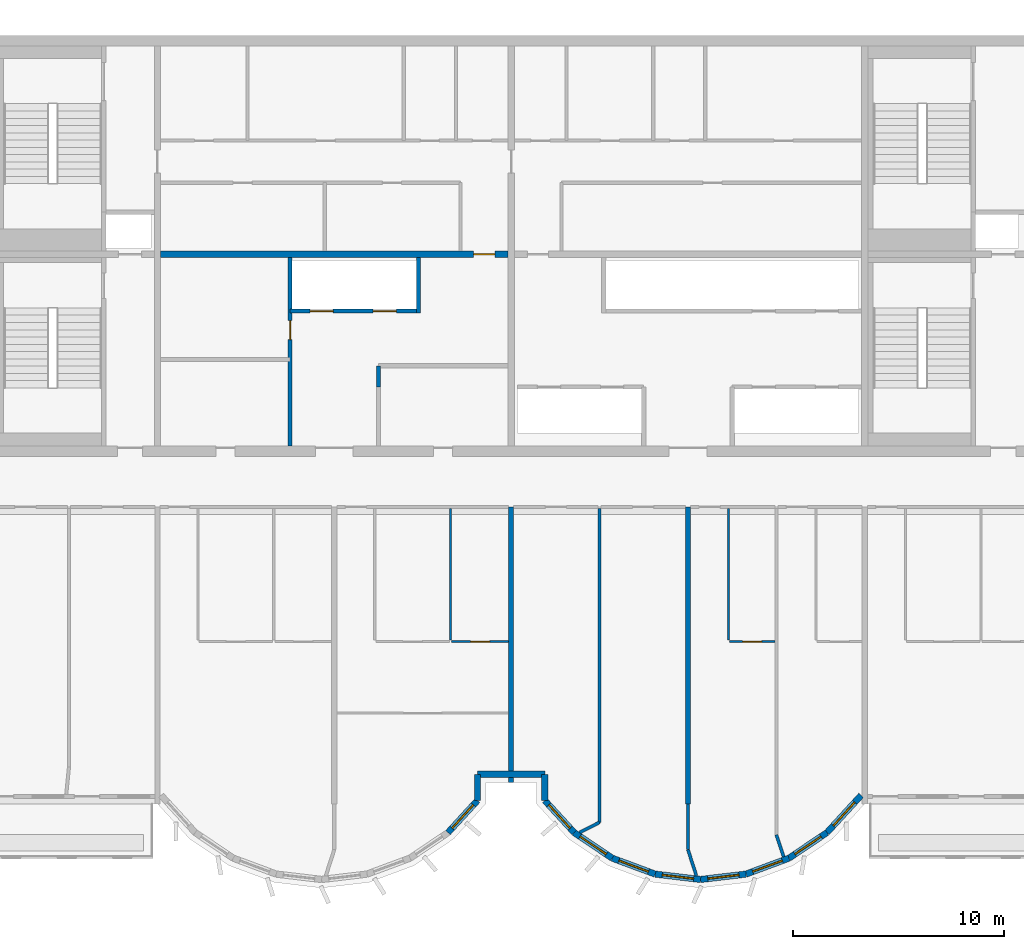
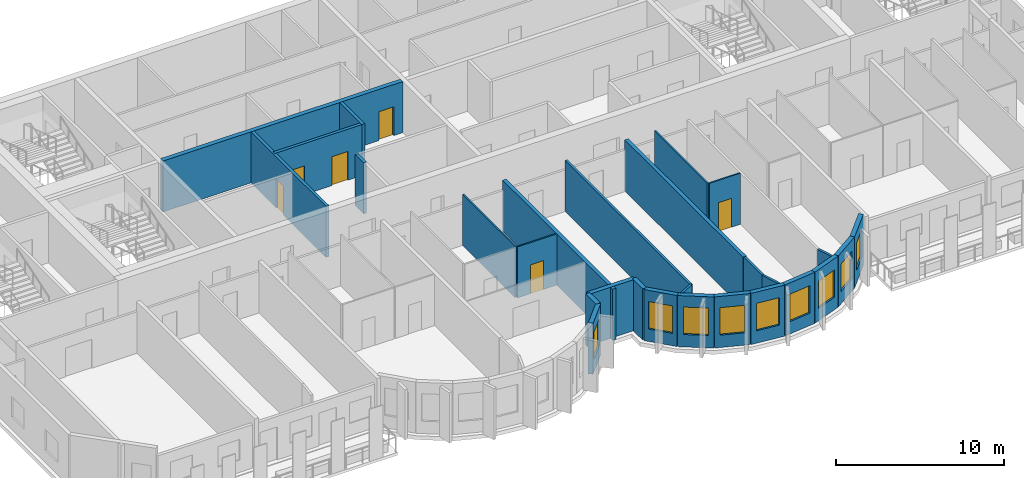
# One storey, part 4 of 12: 28 walls, 9 windows, 6 doors, 15 openings.
"""IFC4 building model written with IfcOpenShell, lengths in metres."""

from ifc_helpers import new_model, si_unit, direction, frame, frame_2d, origin, place, context, subcontext, project, spatial, rectangle, extrude, source, transform, mapped, material, layer, layer_set, type_object, element, fill, save


model = new_model("IFC4")

# Units and contexts
model_context = context("Model", 3, precision=1e-05, world=origin(), true_north=direction((0.0, 1.0)))
body_context = subcontext(model_context, "Body", "Model", "MODEL_VIEW")
ifc_project = project(units=[si_unit("LENGTHUNIT", "METRE"), si_unit("AREAUNIT", "SQUARE_METRE"), si_unit("VOLUMEUNIT", "CUBIC_METRE"), si_unit("PLANEANGLEUNIT", "RADIAN"), si_unit("MASSUNIT", "GRAM", prefix="KILO")], contexts=[model_context])

# Site, building, storey
site_placement = place(None, origin())
site = spatial("IfcSite", under=ifc_project, at=site_placement, CompositionType="ELEMENT")
building_placement = place(site_placement, origin())
building = spatial("IfcBuilding", under=site, at=building_placement, Name="Vanashikhar Sky Hotel", CompositionType="ELEMENT")
storey_placement = place(building_placement, frame((0.0, 0.0, 309.699951171875)))
storey = spatial("IfcBuildingStorey", under=building, at=storey_placement, Name="L74", CompositionType="ELEMENT", Elevation=309.699951171875)

# Wall, opening, door
ifc_material_1 = material(Name="Concrete M50", Category="concrete")
ifc_layer_1 = layer(ifc_material_1, 0.300048828125)
ifc_layer_set_1 = layer_set([ifc_layer_1], Name="RC core inner wall 300 Concrete M50")
wall_type_1 = type_object("IfcWallType", Name="RC core inner wall 300 Concrete M50", PredefinedType="SHEAR", material=ifc_layer_set_1)
shared_shape_1 = source(origin(), body_context, "Body", "SweptSolid", [
    extrude(rectangle(XDim=16.5, YDim=0.300048828125, at=frame_2d((8.25, 0.0))), origin(), (0.0, 0.0, 1.0), 3.719970703125),
])
wall_1_placement = place(storey_placement, frame((33.75, 31.60009765625, 0.0), z_axis=(0.0, 0.0, 1.0), x_axis=(1.0, 0.0, 0.0)))
wall_1 = element("IfcWall", 1, at=wall_1_placement, inside=storey, type_object=wall_type_1, Name="KW-L74-KY2", PredefinedType="SHEAR", context=body_context, shape_type="MappedRepresentation", body=[
    mapped(shared_shape_1, transform((0.0, 0.0, 0.0), scale=1.0)),
])
shared_shape_2 = source(origin(), body_context, "Body", "SweptSolid", [
    extrude(rectangle(XDim=1.0, YDim=2.10009765625, at=frame_2d((0.5, 1.050048828125))), frame((0.0, 0.16015625, 0.0), z_axis=(0.0, -1.0, 0.0), x_axis=(1.0, 0.0, 0.0)), (0.0, 0.0, 1.0), 0.320068359375),
])
opening_1_placement = place(wall_1_placement, frame((14.875, 0.0, 0.0)))
opening_1 = element("IfcOpeningElement", 2, at=opening_1_placement, cuts=wall_1, Name="Opening DC-4", PredefinedType="OPENING", context=body_context, shape_type="MappedRepresentation", body=[
    mapped(shared_shape_2, transform((0.0, 0.0, 0.0), scale=1.0)),
])
ifc_material_2 = material(Name="Steel", Category="steel")
door_type_1 = type_object("IfcDoorType", Name="Service door 1000 FD60", OperationType="NOTDEFINED", PredefinedType="DOOR", material=ifc_material_2)
shared_shape_3 = source(origin(), body_context, "Body", "SweptSolid", [
    extrude(rectangle(XDim=1.0, YDim=2.10009765625, at=frame_2d((0.5, 1.050048828125))), frame((0.0, 0.02490234375, 0.0), z_axis=(0.0, -1.0, 0.0), x_axis=(1.0, 0.0, 0.0)), (0.0, 0.0, 1.0), 0.050048828125),
])
door_1_placement = place(opening_1_placement, origin())
door_1 = element("IfcDoor", 3, at=door_1_placement, inside=storey, type_object=door_type_1, Name="Service door 1000 FD60", OperationType="SINGLE_SWING_LEFT", OverallHeight=2.10009765625, OverallWidth=1.0, PredefinedType="DOOR", context=body_context, shape_type="MappedRepresentation", body=[
    mapped(shared_shape_3, transform((0.0, 0.0, 0.0), scale=1.0)),
])
fill(opening_1, door_1)

# Walls
ifc_layer_2 = layer(ifc_material_1, 0.25)
ifc_layer_set_2 = layer_set([ifc_layer_2], Name="RC shear wall 250 Concrete M50")
wall_type_2 = type_object("IfcWallType", Name="RC shear wall 250 Concrete M50", PredefinedType="SHEAR", material=ifc_layer_set_2)
shared_shape_4 = source(origin(), body_context, "Body", "SweptSolid", [
    extrude(rectangle(XDim=14.10009765625, YDim=0.25, at=frame_2d((7.050048828125, 0.0))), origin(), (0.0, 0.0, 1.0), 3.719970703125),
])
wall_2_placement = place(storey_placement, frame((58.800048828125, 5.5, 0.0), z_axis=(0.0, 0.0, 1.0), x_axis=(0.0, 1.0, 0.0)))
element("IfcWall", 4, at=wall_2_placement, inside=storey, type_object=wall_type_2, Name="CW-L74-XW08-1", PredefinedType="SHEAR", context=body_context, shape_type="MappedRepresentation", body=[
    mapped(shared_shape_4, transform((0.0, 0.0, 0.0), scale=1.0)),
])
shared_shape_5 = source(origin(), body_context, "Body", "SweptSolid", [
    extrude(rectangle(XDim=13.10009765625, YDim=0.25, at=frame_2d((6.550048828125, 0.0))), origin(), (0.0, 0.0, 1.0), 3.719970703125),
])
wall_3_placement = place(storey_placement, frame((50.39990234375, 6.5, 0.0), z_axis=(0.0, 0.0, 1.0), x_axis=(0.0, 1.0, 0.0)))
element("IfcWall", 5, at=wall_3_placement, inside=storey, type_object=wall_type_2, Name="CW-L74-XW07-1", PredefinedType="SHEAR", context=body_context, shape_type="MappedRepresentation", body=[
    mapped(shared_shape_5, transform((0.0, 0.0, 0.0), scale=1.0)),
])

# Wall, opening, window
ifc_layer_3 = layer(ifc_material_1, 0.300048828125)
ifc_layer_set_3 = layer_set([ifc_layer_3], Name="Lobe wall 300")
wall_type_3 = type_object("IfcWallType", Name="Lobe wall 300", PredefinedType="SOLIDWALL", material=ifc_layer_set_3)
shared_shape_6 = source(origin(), body_context, "Body", "SweptSolid", [
    extrude(rectangle(XDim=2.398193359375, YDim=0.300048828125, at=frame_2d((1.19921875, 0.0))), origin(), (0.0, 0.0, 1.0), 3.719970703125),
])
wall_4_placement = place(storey_placement, frame((65.404296875, 4.13134765625, 0.0), z_axis=(0.0, 0.0, 1.0), x_axis=(0.675374189419, 0.737475222815, 0.0)))
wall_4 = element("IfcWall", 6, at=wall_4_placement, inside=storey, type_object=wall_type_3, Name="Lobe wall", PredefinedType="SOLIDWALL", context=body_context, shape_type="MappedRepresentation", body=[
    mapped(shared_shape_6, transform((0.0, 0.0, 0.0), scale=1.0)),
])
shared_shape_7 = source(origin(), body_context, "Body", "SweptSolid", [
    extrude(rectangle(XDim=1.5, YDim=2.0, at=frame_2d((0.75, 1.0))), frame((0.0, 0.16015625, 0.0), z_axis=(0.0, -1.0, 0.0), x_axis=(1.0, 0.0, 0.0)), (0.0, 0.0, 1.0), 0.320068359375),
])
opening_2_placement = place(wall_4_placement, frame((0.44921875, 0.0, 0.89990234375)))
opening_2 = element("IfcOpeningElement", 7, at=opening_2_placement, cuts=wall_4, Name="Opening WN-2", PredefinedType="OPENING", context=body_context, shape_type="MappedRepresentation", body=[
    mapped(shared_shape_7, transform((0.0, 0.0, 0.0), scale=1.0)),
])
ifc_material_3 = material(Name="Glass", Category="glass")
window_type = type_object("IfcWindowType", Name="Lobe window 1500 x 2000", PartitioningType="SINGLE_PANEL", PredefinedType="WINDOW", material=ifc_material_3)
shared_shape_8 = source(origin(), body_context, "Body", "SweptSolid", [
    extrude(rectangle(XDim=1.5, YDim=2.0, at=frame_2d((0.75, 1.0))), frame((0.0, 0.030029296875, 0.0), z_axis=(0.0, -1.0, 0.0), x_axis=(1.0, 0.0, 0.0)), (0.0, 0.0, 1.0), 0.06005859375),
])
window_1_placement = place(opening_2_placement, origin())
window_1 = element("IfcWindow", 8, at=window_1_placement, inside=storey, type_object=window_type, Name="Window WN-2", OverallHeight=2.0, OverallWidth=1.5, PartitioningType="SINGLE_PANEL", PredefinedType="WINDOW", context=body_context, shape_type="MappedRepresentation", body=[
    mapped(shared_shape_8, transform((0.0, 0.0, 0.0), scale=1.0)),
])
fill(opening_2, window_1)

shared_shape_9 = source(origin(), body_context, "Body", "SweptSolid", [
    extrude(rectangle(XDim=2.17578125, YDim=0.300048828125, at=frame_2d((1.087890625, 0.0))), origin(), (0.0, 0.0, 1.0), 3.719970703125),
])
wall_5_placement = place(storey_placement, frame((53.395751953125, 4.13134765625, 0.0), z_axis=(0.0, 0.0, 1.0), x_axis=(0.829590746428, -0.558371913192, 0.0)))
wall_5 = element("IfcWall", 9, at=wall_5_placement, inside=storey, type_object=wall_type_3, Name="Lobe wall", PredefinedType="SOLIDWALL", context=body_context, shape_type="MappedRepresentation", body=[
    mapped(shared_shape_9, transform((0.0, 0.0, 0.0), scale=1.0)),
])
opening_3_placement = place(wall_5_placement, frame((0.337890625, 0.0, 0.89990234375)))
opening_3 = element("IfcOpeningElement", 10, at=opening_3_placement, cuts=wall_5, Name="Opening WN-2", PredefinedType="OPENING", context=body_context, shape_type="MappedRepresentation", body=[
    mapped(shared_shape_7, transform((0.0, 0.0, 0.0), scale=1.0)),
])
window_2_placement = place(opening_3_placement, origin())
window_2 = element("IfcWindow", 11, at=window_2_placement, inside=storey, type_object=window_type, Name="Window WN-2", OverallHeight=2.0, OverallWidth=1.5, PartitioningType="SINGLE_PANEL", PredefinedType="WINDOW", context=body_context, shape_type="MappedRepresentation", body=[
    mapped(shared_shape_8, transform((0.0, 0.0, 0.0), scale=1.0)),
])
fill(opening_3, window_2)

wall_6_placement = place(storey_placement, frame((55.20068359375, 2.91650390625, 0.0), z_axis=(0.0, 0.0, 1.0), x_axis=(0.93754555999, -0.347862505801, 0.0)))
wall_6 = element("IfcWall", 12, at=wall_6_placement, inside=storey, type_object=wall_type_3, Name="Lobe wall", PredefinedType="SOLIDWALL", context=body_context, shape_type="MappedRepresentation", body=[
    mapped(shared_shape_9, transform((0.0, 0.0, 0.0), scale=1.0)),
])
opening_4_placement = place(wall_6_placement, frame((0.337890625, 0.0, 0.89990234375)))
opening_4 = element("IfcOpeningElement", 13, at=opening_4_placement, cuts=wall_6, Name="Opening WN-2", PredefinedType="OPENING", context=body_context, shape_type="MappedRepresentation", body=[
    mapped(shared_shape_7, transform((0.0, 0.0, 0.0), scale=1.0)),
])
window_3_placement = place(opening_4_placement, origin())
window_3 = element("IfcWindow", 14, at=window_3_placement, inside=storey, type_object=window_type, Name="Window WN-2", OverallHeight=2.0, OverallWidth=1.5, PartitioningType="SINGLE_PANEL", PredefinedType="WINDOW", context=body_context, shape_type="MappedRepresentation", body=[
    mapped(shared_shape_8, transform((0.0, 0.0, 0.0), scale=1.0)),
])
fill(opening_4, window_3)

wall_7_placement = place(storey_placement, frame((63.59912109375, 2.91650390625, 0.0), z_axis=(0.0, 0.0, 1.0), x_axis=(0.829625727223, 0.558319937607, 0.0)))
wall_7 = element("IfcWall", 15, at=wall_7_placement, inside=storey, type_object=wall_type_3, Name="Lobe wall", PredefinedType="SOLIDWALL", context=body_context, shape_type="MappedRepresentation", body=[
    mapped(shared_shape_9, transform((0.0, 0.0, 0.0), scale=1.0)),
])
opening_5_placement = place(wall_7_placement, frame((0.337890625, 0.0, 0.89990234375)))
opening_5 = element("IfcOpeningElement", 16, at=opening_5_placement, cuts=wall_7, Name="Opening WN-2", PredefinedType="OPENING", context=body_context, shape_type="MappedRepresentation", body=[
    mapped(shared_shape_7, transform((0.0, 0.0, 0.0), scale=1.0)),
])
window_4_placement = place(opening_5_placement, origin())
window_4 = element("IfcWindow", 17, at=window_4_placement, inside=storey, type_object=window_type, Name="Window WN-2", OverallHeight=2.0, OverallWidth=1.5, PartitioningType="SINGLE_PANEL", PredefinedType="WINDOW", context=body_context, shape_type="MappedRepresentation", body=[
    mapped(shared_shape_8, transform((0.0, 0.0, 0.0), scale=1.0)),
])
fill(opening_5, window_4)

shared_shape_10 = source(origin(), body_context, "Body", "SweptSolid", [
    extrude(rectangle(XDim=2.174560546875, YDim=0.300048828125, at=frame_2d((1.08740234375, 0.0))), origin(), (0.0, 0.0, 1.0), 3.719970703125),
])
wall_8_placement = place(storey_placement, frame((57.240478515625, 2.15966796875, 0.0), z_axis=(0.0, 0.0, 1.0), x_axis=(0.993001132889, -0.118104826659, 0.0)))
wall_8 = element("IfcWall", 18, at=wall_8_placement, inside=storey, type_object=wall_type_3, Name="Lobe wall", PredefinedType="SOLIDWALL", context=body_context, shape_type="MappedRepresentation", body=[
    mapped(shared_shape_10, transform((0.0, 0.0, 0.0), scale=1.0)),
])
opening_6_placement = place(wall_8_placement, frame((0.33740234375, 0.0, 0.89990234375)))
opening_6 = element("IfcOpeningElement", 19, at=opening_6_placement, cuts=wall_8, Name="Opening WN-2", PredefinedType="OPENING", context=body_context, shape_type="MappedRepresentation", body=[
    mapped(shared_shape_7, transform((0.0, 0.0, 0.0), scale=1.0)),
])
window_5_placement = place(opening_6_placement, origin())
window_5 = element("IfcWindow", 20, at=window_5_placement, inside=storey, type_object=window_type, Name="Window WN-2", OverallHeight=2.0, OverallWidth=1.5, PartitioningType="SINGLE_PANEL", PredefinedType="WINDOW", context=body_context, shape_type="MappedRepresentation", body=[
    mapped(shared_shape_8, transform((0.0, 0.0, 0.0), scale=1.0)),
])
fill(opening_6, window_5)

shared_shape_11 = source(origin(), body_context, "Body", "SweptSolid", [
    extrude(rectangle(XDim=2.1748046875, YDim=0.300048828125, at=frame_2d((1.08740234375, 0.0))), origin(), (0.0, 0.0, 1.0), 3.719970703125),
])
wall_9_placement = place(storey_placement, frame((59.39990234375, 1.90283203125, 0.0), z_axis=(0.0, 0.0, 1.0), x_axis=(0.993002698611, 0.118091661648, 0.0)))
wall_9 = element("IfcWall", 21, at=wall_9_placement, inside=storey, type_object=wall_type_3, Name="Lobe wall", PredefinedType="SOLIDWALL", context=body_context, shape_type="MappedRepresentation", body=[
    mapped(shared_shape_11, transform((0.0, 0.0, 0.0), scale=1.0)),
])
opening_7_placement = place(wall_9_placement, frame((0.33740234375, 0.0, 0.89990234375)))
opening_7 = element("IfcOpeningElement", 22, at=opening_7_placement, cuts=wall_9, Name="Opening WN-2", PredefinedType="OPENING", context=body_context, shape_type="MappedRepresentation", body=[
    mapped(shared_shape_7, transform((0.0, 0.0, 0.0), scale=1.0)),
])
window_6_placement = place(opening_7_placement, origin())
window_6 = element("IfcWindow", 23, at=window_6_placement, inside=storey, type_object=window_type, Name="Window WN-2", OverallHeight=2.0, OverallWidth=1.5, PartitioningType="SINGLE_PANEL", PredefinedType="WINDOW", context=body_context, shape_type="MappedRepresentation", body=[
    mapped(shared_shape_8, transform((0.0, 0.0, 0.0), scale=1.0)),
])
fill(opening_7, window_6)

shared_shape_12 = source(origin(), body_context, "Body", "SweptSolid", [
    extrude(rectangle(XDim=2.175537109375, YDim=0.300048828125, at=frame_2d((1.087890625, 0.0))), origin(), (0.0, 0.0, 1.0), 3.719970703125),
])
wall_10_placement = place(storey_placement, frame((61.5595703125, 2.15966796875, 0.0), z_axis=(0.0, 0.0, 1.0), x_axis=(0.937531979054, 0.347899106424, 0.0)))
wall_10 = element("IfcWall", 24, at=wall_10_placement, inside=storey, type_object=wall_type_3, Name="Lobe wall", PredefinedType="SOLIDWALL", context=body_context, shape_type="MappedRepresentation", body=[
    mapped(shared_shape_12, transform((0.0, 0.0, 0.0), scale=1.0)),
])
opening_8_placement = place(wall_10_placement, frame((0.337890625, 0.0, 0.89990234375)))
opening_8 = element("IfcOpeningElement", 25, at=opening_8_placement, cuts=wall_10, Name="Opening WN-2", PredefinedType="OPENING", context=body_context, shape_type="MappedRepresentation", body=[
    mapped(shared_shape_7, transform((0.0, 0.0, 0.0), scale=1.0)),
])
window_7_placement = place(opening_8_placement, origin())
window_7 = element("IfcWindow", 26, at=window_7_placement, inside=storey, type_object=window_type, Name="Window WN-2", OverallHeight=2.0, OverallWidth=1.5, PartitioningType="SINGLE_PANEL", PredefinedType="WINDOW", context=body_context, shape_type="MappedRepresentation", body=[
    mapped(shared_shape_8, transform((0.0, 0.0, 0.0), scale=1.0)),
])
fill(opening_8, window_7)

shared_shape_13 = source(origin(), body_context, "Body", "SweptSolid", [
    extrude(rectangle(XDim=2.066650390625, YDim=0.300048828125, at=frame_2d((1.033203125, 0.0))), origin(), (0.0, 0.0, 1.0), 3.719970703125),
])
wall_11_placement = place(storey_placement, frame((47.404296875, 4.13134765625, 0.0), z_axis=(0.0, 0.0, 1.0), x_axis=(0.675355439877, 0.737492393065, 0.0)))
wall_11 = element("IfcWall", 27, at=wall_11_placement, inside=storey, type_object=wall_type_3, Name="Lobe wall", PredefinedType="SOLIDWALL", context=body_context, shape_type="MappedRepresentation", body=[
    mapped(shared_shape_13, transform((0.0, 0.0, 0.0), scale=1.0)),
])
opening_9_placement = place(wall_11_placement, frame((0.283447265625, 0.0, 0.89990234375)))
opening_9 = element("IfcOpeningElement", 28, at=opening_9_placement, cuts=wall_11, Name="Opening WN-2", PredefinedType="OPENING", context=body_context, shape_type="MappedRepresentation", body=[
    mapped(shared_shape_7, transform((0.0, 0.0, 0.0), scale=1.0)),
])
window_8_placement = place(opening_9_placement, origin())
window_8 = element("IfcWindow", 29, at=window_8_placement, inside=storey, type_object=window_type, Name="Window WN-2", OverallHeight=2.0, OverallWidth=1.5, PartitioningType="SINGLE_PANEL", PredefinedType="WINDOW", context=body_context, shape_type="MappedRepresentation", body=[
    mapped(shared_shape_8, transform((0.0, 0.0, 0.0), scale=1.0)),
])
fill(opening_9, window_8)

wall_12_placement = place(storey_placement, frame((52.0, 5.655517578125, 0.0), z_axis=(0.0, 0.0, 1.0), x_axis=(0.675355439877, -0.737492393065, 0.0)))
wall_12 = element("IfcWall", 30, at=wall_12_placement, inside=storey, type_object=wall_type_3, Name="Lobe wall", PredefinedType="SOLIDWALL", context=body_context, shape_type="MappedRepresentation", body=[
    mapped(shared_shape_13, transform((0.0, 0.0, 0.0), scale=1.0)),
])
opening_10_placement = place(wall_12_placement, frame((0.283447265625, 0.0, 0.89990234375)))
opening_10 = element("IfcOpeningElement", 31, at=opening_10_placement, cuts=wall_12, Name="Opening WN-2", PredefinedType="OPENING", context=body_context, shape_type="MappedRepresentation", body=[
    mapped(shared_shape_7, transform((0.0, 0.0, 0.0), scale=1.0)),
])
window_9_placement = place(opening_10_placement, origin())
window_9 = element("IfcWindow", 32, at=window_9_placement, inside=storey, type_object=window_type, Name="Window WN-2", OverallHeight=2.0, OverallWidth=1.5, PartitioningType="SINGLE_PANEL", PredefinedType="WINDOW", context=body_context, shape_type="MappedRepresentation", body=[
    mapped(shared_shape_8, transform((0.0, 0.0, 0.0), scale=1.0)),
])
fill(opening_10, window_9)

# Walls
shared_shape_14 = source(origin(), body_context, "Body", "SweptSolid", [
    extrude(rectangle(XDim=1.244384765625, YDim=0.300048828125, at=frame_2d((0.6220703125, 0.0))), origin(), (0.0, 0.0, 1.0), 3.719970703125),
])
for number, where, z_axis, x_axis, name in (
    (33, (48.800048828125, 5.655517578125, 0.0), (0.0, 0.0, 1.0), (0.0, 1.0, 0.0), "Groove wall"),
    (34, (52.0, 6.89990234375, 0.0), (0.0, 0.0, 1.0), (0.0, -1.0, 0.0), "Groove wall"),
):
    element("IfcWall", number, at=place(storey_placement, frame(where, z_axis=z_axis, x_axis=x_axis)), inside=storey, type_object=wall_type_3, Name=name, PredefinedType="SOLIDWALL", context=body_context, shape_type="MappedRepresentation", body=[
        mapped(shared_shape_14, transform((0.0, 0.0, 0.0), scale=1.0)),
    ])
shared_shape_15 = source(origin(), body_context, "Body", "SweptSolid", [
    extrude(rectangle(XDim=3.199951171875, YDim=0.300048828125, at=frame_2d((1.60009765625, 0.0))), origin(), (0.0, 0.0, 1.0), 3.719970703125),
])
wall_13_placement = place(storey_placement, frame((48.800048828125, 6.89990234375, 0.0), z_axis=(0.0, 0.0, 1.0), x_axis=(1.0, 0.0, 0.0)))
element("IfcWall", 35, at=wall_13_placement, inside=storey, type_object=wall_type_3, Name="Groove wall", PredefinedType="SOLIDWALL", context=body_context, shape_type="MappedRepresentation", body=[
    mapped(shared_shape_15, transform((0.0, 0.0, 0.0), scale=1.0)),
])

# Wall, openings, doors
ifc_material_4 = material(Name="Concrete M40", Category="concrete")
ifc_layer_4 = layer(ifc_material_4, 0.199951171875)
ifc_layer_set_4 = layer_set([ifc_layer_4], Name="Shaft wall 200")
wall_type_4 = type_object("IfcWallType", Name="Shaft wall 200", PredefinedType="SOLIDWALL", material=ifc_layer_set_4)
shared_shape_16 = source(origin(), body_context, "Body", "SweptSolid", [
    extrude(rectangle(XDim=6.0, YDim=0.199951171875, at=frame_2d((3.0, 0.0))), origin(), (0.0, 0.0, 1.0), 3.719970703125),
])
wall_14_placement = place(storey_placement, frame((39.89990234375, 28.89990234375, 0.0), z_axis=(0.0, 0.0, 1.0), x_axis=(1.0, 0.0, 0.0)))
wall_14 = element("IfcWall", 36, at=wall_14_placement, inside=storey, type_object=wall_type_4, Name="Shaft wall 200", PredefinedType="SOLIDWALL", context=body_context, shape_type="MappedRepresentation", body=[
    mapped(shared_shape_16, transform((0.0, 0.0, 0.0), scale=1.0)),
])
shared_shape_17 = source(origin(), body_context, "Body", "SweptSolid", [
    extrude(rectangle(XDim=1.10009765625, YDim=2.10009765625, at=frame_2d((0.550048828125, 1.050048828125))), frame((0.0, 0.10986328125, 0.0), z_axis=(0.0, -1.0, 0.0), x_axis=(1.0, 0.0, 0.0)), (0.0, 0.0, 1.0), 0.219970703125),
])
opening_11_placement = place(wall_14_placement, frame((0.949951171875, 0.0, 0.0)))
opening_11 = element("IfcOpeningElement", 37, at=opening_11_placement, cuts=wall_14, Name="Opening LD", PredefinedType="OPENING", context=body_context, shape_type="MappedRepresentation", body=[
    mapped(shared_shape_17, transform((0.0, 0.0, 0.0), scale=1.0)),
])
opening_12_placement = place(wall_14_placement, frame((3.949951171875, 0.0, 0.0)))
opening_12 = element("IfcOpeningElement", 38, at=opening_12_placement, cuts=wall_14, Name="Opening LD", PredefinedType="OPENING", context=body_context, shape_type="MappedRepresentation", body=[
    mapped(shared_shape_17, transform((0.0, 0.0, 0.0), scale=1.0)),
])
ifc_material_5 = material(Name="Stainless steel", Category="steel")
door_type_2 = type_object("IfcDoorType", Name="Lift landing door 1100", OperationType="NOTDEFINED", PredefinedType="DOOR", material=ifc_material_5)
shared_shape_18 = source(origin(), body_context, "Body", "SweptSolid", [
    extrude(rectangle(XDim=1.10009765625, YDim=2.10009765625, at=frame_2d((0.550048828125, 1.050048828125))), frame((0.0, 0.02490234375, 0.0), z_axis=(0.0, -1.0, 0.0), x_axis=(1.0, 0.0, 0.0)), (0.0, 0.0, 1.0), 0.050048828125),
])
door_2_placement = place(opening_11_placement, origin())
door_2 = element("IfcDoor", 39, at=door_2_placement, inside=storey, type_object=door_type_2, Name="Lift landing door 1100", OperationType="SLIDING_TO_LEFT", OverallHeight=2.10009765625, OverallWidth=1.10009765625, PredefinedType="DOOR", context=body_context, shape_type="MappedRepresentation", body=[
    mapped(shared_shape_18, transform((0.0, 0.0, 0.0), scale=1.0)),
])
fill(opening_11, door_2)
door_3_placement = place(opening_12_placement, origin())
door_3 = element("IfcDoor", 40, at=door_3_placement, inside=storey, type_object=door_type_2, Name="Lift landing door 1100", OperationType="SLIDING_TO_RIGHT", OverallHeight=2.10009765625, OverallWidth=1.10009765625, PredefinedType="DOOR", context=body_context, shape_type="MappedRepresentation", body=[
    mapped(shared_shape_18, transform((0.0, 0.0, 0.0), scale=1.0)),
])
fill(opening_12, door_3)

# Wall, opening, door
ifc_material_6 = material(Name="Gypsum board partition")
ifc_layer_5 = layer(ifc_material_6, 0.14990234375)
ifc_layer_set_5 = layer_set([ifc_layer_5], Name="Service partition 150")
wall_type_5 = type_object("IfcWallType", Name="Service partition 150", PredefinedType="PARTITIONING", material=ifc_layer_set_5)
shared_shape_19 = source(origin(), body_context, "Body", "SweptSolid", [
    extrude(rectangle(XDim=8.949951171875, YDim=0.199951171875, at=frame_2d((4.47509765625, 0.0))), origin(), (0.0, 0.0, 1.0), 3.719970703125),
])
wall_15_placement = place(storey_placement, frame((39.89990234375, 22.5, 0.0), z_axis=(0.0, 0.0, 1.0), x_axis=(0.0, 1.0, 0.0)))
wall_15 = element("IfcWall", 41, at=wall_15_placement, inside=storey, type_object=wall_type_5, Name="Service partition 150", PredefinedType="PARTITIONING", context=body_context, shape_type="MappedRepresentation", body=[
    mapped(shared_shape_19, transform((0.0, 0.0, 0.0), scale=1.0)),
])
shared_shape_20 = source(origin(), body_context, "Body", "SweptSolid", [
    extrude(rectangle(XDim=0.89990234375, YDim=2.10009765625, at=frame_2d((0.449951171875, 1.050048828125))), frame((0.0, 0.10986328125, 0.0), z_axis=(0.0, -1.0, 0.0), x_axis=(1.0, 0.0, 0.0)), (0.0, 0.0, 1.0), 0.219970703125),
])
opening_13_placement = place(wall_15_placement, frame((5.050048828125, 0.0, 0.0)))
opening_13 = element("IfcOpeningElement", 42, at=opening_13_placement, cuts=wall_15, Name="Opening DC-4-A", PredefinedType="OPENING", context=body_context, shape_type="MappedRepresentation", body=[
    mapped(shared_shape_20, transform((0.0, 0.0, 0.0), scale=1.0)),
])
door_type_3 = type_object("IfcDoorType", Name="Service door 900 FD60", OperationType="NOTDEFINED", PredefinedType="DOOR", material=ifc_material_2)
shared_shape_21 = source(origin(), body_context, "Body", "SweptSolid", [
    extrude(rectangle(XDim=0.89990234375, YDim=2.10009765625, at=frame_2d((0.449951171875, 1.050048828125))), frame((0.0, 0.02490234375, 0.0), z_axis=(0.0, -1.0, 0.0), x_axis=(1.0, 0.0, 0.0)), (0.0, 0.0, 1.0), 0.050048828125),
])
door_4_placement = place(opening_13_placement, origin())
door_4 = element("IfcDoor", 43, at=door_4_placement, inside=storey, type_object=door_type_3, Name="Service door 900 FD60", OperationType="SINGLE_SWING_LEFT", OverallHeight=2.10009765625, OverallWidth=0.89990234375, PredefinedType="DOOR", context=body_context, shape_type="MappedRepresentation", body=[
    mapped(shared_shape_21, transform((0.0, 0.0, 0.0), scale=1.0)),
])
fill(opening_13, door_4)

# Walls
shared_shape_22 = source(origin(), body_context, "Body", "SweptSolid", [
    extrude(rectangle(XDim=2.64990234375, YDim=0.199951171875, at=frame_2d((1.324951171875, 0.0))), origin(), (0.0, 0.0, 1.0), 3.719970703125),
])
wall_16_placement = place(storey_placement, frame((46.0, 28.800048828125, 0.0), z_axis=(0.0, 0.0, 1.0), x_axis=(0.0, 1.0, 0.0)))
element("IfcWall", 44, at=wall_16_placement, inside=storey, type_object=wall_type_4, Name="Shaft wall 200", PredefinedType="SOLIDWALL", context=body_context, shape_type="MappedRepresentation", body=[
    mapped(shared_shape_22, transform((0.0, 0.0, 0.0), scale=1.0)),
])
shared_shape_23 = source(origin(), body_context, "Body", "SweptSolid", [
    extrude(rectangle(XDim=1.0, YDim=0.199951171875, at=frame_2d((0.5, 0.0))), origin(), (0.0, 0.0, 1.0), 3.719970703125),
])
wall_17_placement = place(storey_placement, frame((44.10009765625, 25.300048828125, 0.0), z_axis=(0.0, 0.0, 1.0), x_axis=(0.0, 1.0, 0.0)))
element("IfcWall", 45, at=wall_17_placement, inside=storey, type_object=wall_type_5, Name="Service partition 150", PredefinedType="PARTITIONING", context=body_context, shape_type="MappedRepresentation", body=[
    mapped(shared_shape_23, transform((0.0, 0.0, 0.0), scale=1.0)),
])
ifc_material_7 = material(Name="Gypsum plasterboard partition")
ifc_layer_6 = layer(ifc_material_7, 0.10009765625)
ifc_layer_set_6 = layer_set([ifc_layer_6], Name="Wet room partition 100")
wall_type_6 = type_object("IfcWallType", Name="Wet room partition 100", PredefinedType="PARTITIONING", material=ifc_layer_set_6)
shared_shape_24 = source(origin(), body_context, "Body", "SweptSolid", [
    extrude(rectangle(XDim=6.25, YDim=0.10009765625, at=frame_2d((3.125, 0.0))), origin(), (0.0, 0.0, 1.0), 3.719970703125),
])
for number, where, z_axis, x_axis, name in (
    (46, (47.52490234375, 13.27490234375, 0.0), (0.0, 0.0, 1.0), (0.0, 1.0, 0.0), "W-L74-PW011"),
    (47, (60.72509765625, 13.27490234375, 0.0), (0.0, 0.0, 1.0), (0.0, 1.0, 0.0), "W-L74-PW019"),
):
    element("IfcWall", number, at=place(storey_placement, frame(where, z_axis=z_axis, x_axis=x_axis)), inside=storey, type_object=wall_type_6, Name=name, PredefinedType="PARTITIONING", context=body_context, shape_type="MappedRepresentation", body=[
        mapped(shared_shape_24, transform((0.0, 0.0, 0.0), scale=1.0)),
    ])

# Wall, opening, door
shared_shape_25 = source(origin(), body_context, "Body", "SweptSolid", [
    extrude(rectangle(XDim=2.699951171875, YDim=0.10009765625, at=frame_2d((1.35009765625, 0.0))), origin(), (0.0, 0.0, 1.0), 3.719970703125),
])
wall_18_placement = place(storey_placement, frame((47.574951171875, 13.199951171875, 0.0), z_axis=(0.0, 0.0, 1.0), x_axis=(1.0, 0.0, 0.0)))
wall_18 = element("IfcWall", 48, at=wall_18_placement, inside=storey, type_object=wall_type_6, Name="W-L74-PW013", PredefinedType="PARTITIONING", context=body_context, shape_type="MappedRepresentation", body=[
    mapped(shared_shape_25, transform((0.0, 0.0, 0.0), scale=1.0)),
])
shared_shape_26 = source(origin(), body_context, "Body", "SweptSolid", [
    extrude(rectangle(XDim=0.89990234375, YDim=2.10009765625, at=frame_2d((0.449951171875, 1.050048828125))), frame((0.0, 0.06005859375, 0.0), z_axis=(0.0, -1.0, 0.0), x_axis=(1.0, 0.0, 0.0)), (0.0, 0.0, 1.0), 0.1201171875),
])
opening_14_placement = place(wall_18_placement, frame((0.89990234375, 0.0, 0.0)))
opening_14 = element("IfcOpeningElement", 49, at=opening_14_placement, cuts=wall_18, Name="Opening D-02", PredefinedType="OPENING", context=body_context, shape_type="MappedRepresentation", body=[
    mapped(shared_shape_26, transform((0.0, 0.0, 0.0), scale=1.0)),
])
ifc_material_8 = material(Name="Timber door", Category="wood")
door_type_4 = type_object("IfcDoorType", Name="Internal door 900", OperationType="NOTDEFINED", PredefinedType="DOOR", material=ifc_material_8)
door_5_placement = place(opening_14_placement, origin())
door_5 = element("IfcDoor", 50, at=door_5_placement, inside=storey, type_object=door_type_4, Name="D-L74-008", OperationType="SINGLE_SWING_LEFT", OverallHeight=2.10009765625, OverallWidth=0.89990234375, PredefinedType="DOOR", context=body_context, shape_type="MappedRepresentation", body=[
    mapped(shared_shape_21, transform((0.0, 0.0, 0.0), scale=1.0)),
])
fill(opening_14, door_5)

# Walls
ifc_layer_7 = layer(ifc_material_7, 0.14990234375)
ifc_layer_set_7 = layer_set([ifc_layer_7], Name="Corridor and demising partition 150")
wall_type_7 = type_object("IfcWallType", Name="Corridor and demising partition 150", PredefinedType="PARTITIONING", material=ifc_layer_set_7)
shared_shape_27 = source(origin(), body_context, "Body", "SweptSolid", [
    extrude(rectangle(XDim=2.177978515625, YDim=0.14990234375, at=frame_2d((1.0888671875, 0.0))), origin(), (0.0, 0.0, 1.0), 3.719970703125),
])
wall_19_placement = place(storey_placement, frame((58.800048828125, 3.322021484375, 0.0), z_axis=(0.0, 0.0, 1.0), x_axis=(0.0, 1.0, 0.0)))
element("IfcWall", 51, at=wall_19_placement, inside=storey, type_object=wall_type_7, Name="W-L74-PW039", PredefinedType="PARTITIONING", context=body_context, shape_type="MappedRepresentation", body=[
    mapped(shared_shape_27, transform((0.0, 0.0, 0.0), scale=1.0)),
])
shared_shape_28 = source(origin(), body_context, "Body", "SweptSolid", [
    extrude(rectangle(XDim=1.308349609375, YDim=0.14990234375, at=frame_2d((0.654296875, 0.0))), origin(), (0.0, 0.0, 1.0), 3.719970703125),
])
wall_20_placement = place(storey_placement, frame((59.201904296875, 2.076904296875, 0.0), z_axis=(0.0, 0.0, 1.0), x_axis=(-0.307144529633, 0.951662880392, 0.0)))
element("IfcWall", 52, at=wall_20_placement, inside=storey, type_object=wall_type_7, Name="W-L74-PW039B0", PredefinedType="PARTITIONING", context=body_context, shape_type="MappedRepresentation", body=[
    mapped(shared_shape_28, transform((0.0, 0.0, 0.0), scale=1.0)),
])
shared_shape_29 = source(origin(), body_context, "Body", "SweptSolid", [
    extrude(rectangle(XDim=1.100830078125, YDim=0.14990234375, at=frame_2d((0.55029296875, 0.0))), origin(), (0.0, 0.0, 1.0), 3.719970703125),
])
wall_21_placement = place(storey_placement, frame((63.343017578125, 2.98095703125, 0.0), z_axis=(0.0, 0.0, 1.0), x_axis=(-0.311567081539, 0.950224159712, 0.0)))
element("IfcWall", 53, at=wall_21_placement, inside=storey, type_object=wall_type_7, Name="W-L74-PW025B0", PredefinedType="PARTITIONING", context=body_context, shape_type="MappedRepresentation", body=[
    mapped(shared_shape_29, transform((0.0, 0.0, 0.0), scale=1.0)),
])

# Wall, opening, door
shared_shape_30 = source(origin(), body_context, "Body", "SweptSolid", [
    extrude(rectangle(XDim=2.150146484375, YDim=0.10009765625, at=frame_2d((1.0751953125, 0.0))), origin(), (0.0, 0.0, 1.0), 3.719970703125),
])
wall_22_placement = place(storey_placement, frame((60.77490234375, 13.199951171875, 0.0), z_axis=(0.0, 0.0, 1.0), x_axis=(1.0, 0.0, 0.0)))
wall_22 = element("IfcWall", 54, at=wall_22_placement, inside=storey, type_object=wall_type_6, Name="W-L74-PW020", PredefinedType="PARTITIONING", context=body_context, shape_type="MappedRepresentation", body=[
    mapped(shared_shape_30, transform((0.0, 0.0, 0.0), scale=1.0)),
])
opening_15_placement = place(wall_22_placement, frame((0.625, 0.0, 0.0)))
opening_15 = element("IfcOpeningElement", 55, at=opening_15_placement, cuts=wall_22, Name="Opening D-02", PredefinedType="OPENING", context=body_context, shape_type="MappedRepresentation", body=[
    mapped(shared_shape_26, transform((0.0, 0.0, 0.0), scale=1.0)),
])
door_6_placement = place(opening_15_placement, origin())
door_6 = element("IfcDoor", 56, at=door_6_placement, inside=storey, type_object=door_type_4, Name="D-L74-013", OperationType="SINGLE_SWING_LEFT", OverallHeight=2.10009765625, OverallWidth=0.89990234375, PredefinedType="DOOR", context=body_context, shape_type="MappedRepresentation", body=[
    mapped(shared_shape_21, transform((0.0, 0.0, 0.0), scale=1.0)),
])
fill(opening_15, door_6)

# Walls
shared_shape_31 = source(origin(), body_context, "Body", "SweptSolid", [
    extrude(rectangle(XDim=14.906005859375, YDim=0.14990234375, at=frame_2d((7.453125, 0.0))), origin(), (0.0, 0.0, 1.0), 3.719970703125),
])
wall_23_placement = place(storey_placement, frame((54.60009765625, 4.618896484375, 0.0), z_axis=(0.0, 0.0, 1.0), x_axis=(0.0, 1.0, 0.0)))
element("IfcWall", 57, at=wall_23_placement, inside=storey, type_object=wall_type_7, Name="W-L74-PW018", PredefinedType="PARTITIONING", context=body_context, shape_type="MappedRepresentation", body=[
    mapped(shared_shape_31, transform((0.0, 0.0, 0.0), scale=1.0)),
])
shared_shape_32 = source(origin(), body_context, "Body", "SweptSolid", [
    extrude(rectangle(XDim=1.057861328125, YDim=0.14990234375, at=frame_2d((0.52880859375, 0.0))), origin(), (0.0, 0.0, 1.0), 3.719970703125),
])
wall_24_placement = place(storey_placement, frame((53.659912109375, 4.134033203125, 0.0), z_axis=(0.0, 0.0, 1.0), x_axis=(0.888772319209, 0.458348955063, 0.0)))
element("IfcWall", 58, at=wall_24_placement, inside=storey, type_object=wall_type_7, Name="W-L74-PW018B0", PredefinedType="PARTITIONING", context=body_context, shape_type="MappedRepresentation", body=[
    mapped(shared_shape_32, transform((0.0, 0.0, 0.0), scale=1.0)),
])

save(model, "model.ifc")
